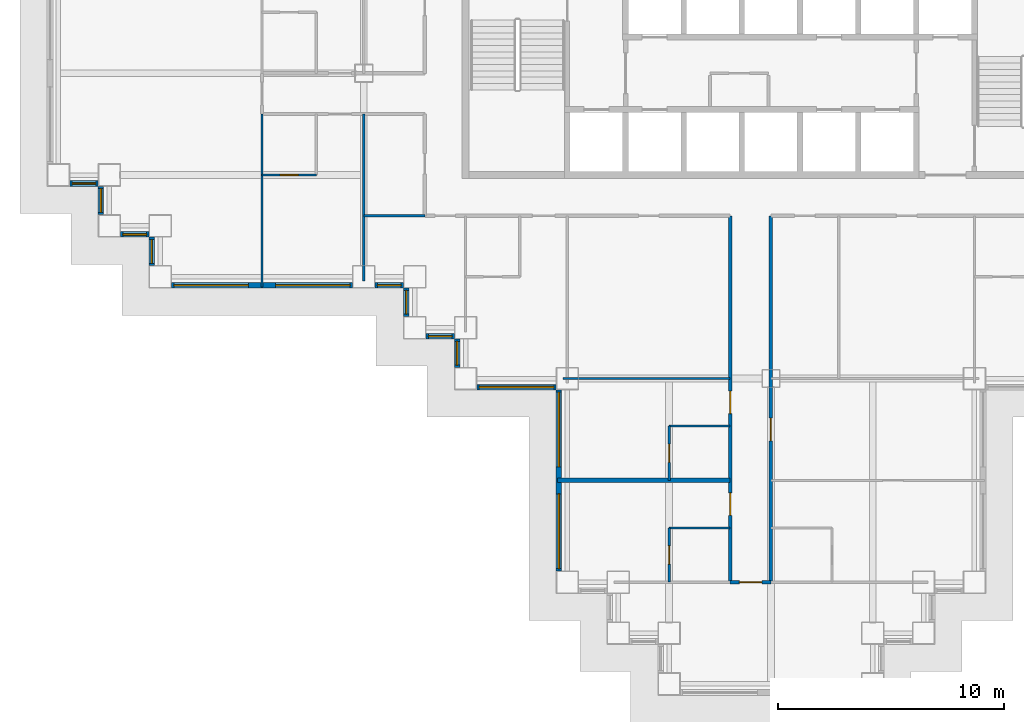
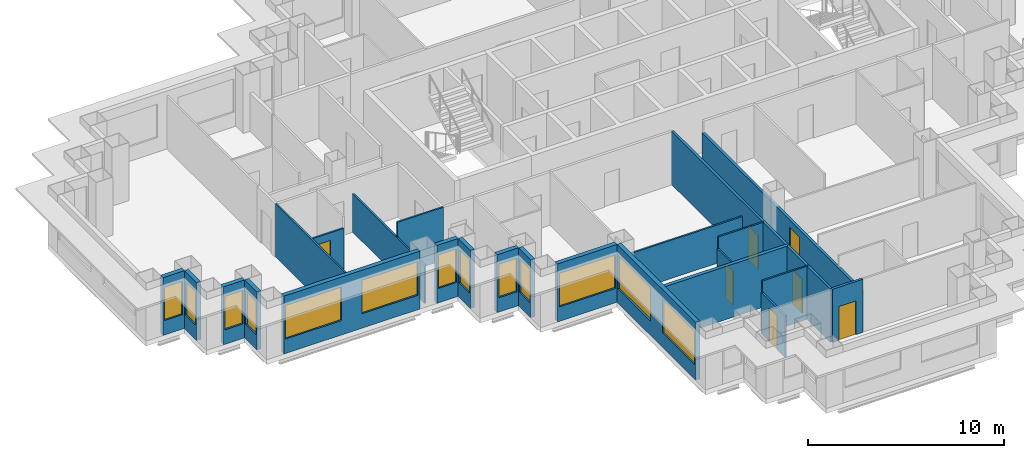
# One storey, part 3 of 14: 24 walls, 13 windows, 7 doors, 20 openings.
"""IFC4 building model written with IfcOpenShell, lengths in metres."""

from ifc_helpers import new_model, si_unit, direction, frame, frame_2d, origin, place, context, subcontext, project, spatial, rectangle, extrude, material, layer, layer_set, type_object, element, fill, save


model = new_model("IFC4")

# Units and contexts
model_context = context("Model", 3, precision=1e-05, world=origin(), true_north=direction((0.0, 1.0)))
body_context = subcontext(model_context, "Body", "Model", "MODEL_VIEW")
ifc_project = project(units=[si_unit("LENGTHUNIT", "METRE"), si_unit("AREAUNIT", "SQUARE_METRE"), si_unit("VOLUMEUNIT", "CUBIC_METRE"), si_unit("PLANEANGLEUNIT", "RADIAN"), si_unit("MASSUNIT", "GRAM", prefix="KILO")], contexts=[model_context])

# Site, building, storey
site_placement = place(None, origin())
site = spatial("IfcSite", under=ifc_project, at=site_placement, CompositionType="ELEMENT")
building_placement = place(site_placement, origin())
building = spatial("IfcBuilding", under=site, at=building_placement, Name="Caravel Reach Hotel and Residences", CompositionType="ELEMENT")
storey_placement = place(building_placement, frame((0.0, 0.0, 56.39990234375)))
storey = spatial("IfcBuildingStorey", under=building, at=storey_placement, Name="L12", CompositionType="ELEMENT", Elevation=56.39990234375)

# Wall
ifc_material_1 = material(Name="Gypsum board on steel stud", Category="steel")
ifc_layer_1 = layer(ifc_material_1, 0.10009765625)
ifc_layer_set_1 = layer_set([ifc_layer_1], Name="Bathroom pod wall 100 mm")
wall_type_1 = type_object("IfcWallType", Name="Bathroom pod wall 100 mm", PredefinedType="PARTITIONING", material=ifc_layer_set_1)
wall_1_placement = place(storey_placement, frame((27.0, 11.39990234375, 0.0), z_axis=(0.0, 0.0, 1.0), x_axis=(1.0, 0.0, 0.0)))
element("IfcWall", 1, at=wall_1_placement, inside=storey, type_object=wall_type_1, Name="L12 wall w074", PredefinedType="PARTITIONING", context=body_context, shape_type="SweptSolid", body=[
    extrude(rectangle(XDim=2.699951171875, YDim=0.10009765625, at=frame_2d((1.35009765625, 0.0))), origin(), (0.0, 0.0, 1.0), 3.300048828125),
])

# Wall, opening, door
wall_2_placement = place(storey_placement, frame((9.0, 22.5, 0.0), z_axis=(0.0, 0.0, 1.0), x_axis=(1.0, 0.0, 0.0)))
wall_2 = element("IfcWall", 2, at=wall_2_placement, inside=storey, type_object=wall_type_1, Name="L12 wall w077", PredefinedType="PARTITIONING", context=body_context, shape_type="SweptSolid", body=[
    extrude(rectangle(XDim=2.39990234375, YDim=0.10009765625, at=frame_2d((1.199951171875, 0.0))), origin(), (0.0, 0.0, 1.0), 2.580078125),
])
opening_1_placement = place(wall_2_placement, frame((0.800048828125, 0.0, 0.0)))
opening_1 = element("IfcOpeningElement", 3, at=opening_1_placement, cuts=wall_2, Name="Opening D12-016", PredefinedType="OPENING", context=body_context, shape_type="SweptSolid", body=[
    extrude(rectangle(XDim=0.800048828125, YDim=2.10009765625, at=frame_2d((0.39990234375, 1.050048828125))), frame((0.0, 0.06005859375, 0.0), z_axis=(0.0, -1.0, 0.0), x_axis=(1.0, 0.0, 0.0)), (0.0, 0.0, 1.0), 0.1201171875),
])
ifc_material_2 = material(Name="Timber and steel door leaf", Category="steel")
door_type_1 = type_object("IfcDoorType", Name="Bathroom door 800 x 2100", OperationType="SINGLE_SWING_LEFT", PredefinedType="DOOR", material=ifc_material_2)
door_1_placement = place(opening_1_placement, origin())
door_1 = element("IfcDoor", 4, at=door_1_placement, inside=storey, type_object=door_type_1, Name="door D12-016", OperationType="SINGLE_SWING_RIGHT", OverallHeight=2.10009765625, OverallWidth=0.800048828125, PredefinedType="DOOR", context=body_context, shape_type="SweptSolid", body=[
    extrude(rectangle(XDim=0.800048828125, YDim=2.10009765625, at=frame_2d((0.39990234375, 1.050048828125))), frame((0.0, 0.02490234375, 0.0), z_axis=(0.0, -1.0, 0.0), x_axis=(1.0, 0.0, 0.0)), (0.0, 0.0, 1.0), 0.050048828125),
])
fill(opening_1, door_1)

# Wall
wall_3_placement = place(storey_placement, frame((27.0, 6.89990234375, 0.0), z_axis=(0.0, 0.0, 1.0), x_axis=(1.0, 0.0, 0.0)))
element("IfcWall", 5, at=wall_3_placement, inside=storey, type_object=wall_type_1, Name="L12 wall w086", PredefinedType="PARTITIONING", context=body_context, shape_type="SweptSolid", body=[
    extrude(rectangle(XDim=2.699951171875, YDim=0.10009765625, at=frame_2d((1.35009765625, 0.0))), origin(), (0.0, 0.0, 1.0), 3.300048828125),
])

# Wall, opening, door
wall_4_placement = place(storey_placement, frame((27.0, 9.0, 0.0), z_axis=(0.0, 0.0, 1.0), x_axis=(0.0, 1.0, 0.0)))
wall_4 = element("IfcWall", 6, at=wall_4_placement, inside=storey, type_object=wall_type_1, Name="L12 wall w092", PredefinedType="PARTITIONING", context=body_context, shape_type="SweptSolid", body=[
    extrude(rectangle(XDim=2.39990234375, YDim=0.10009765625, at=frame_2d((1.199951171875, 0.0))), origin(), (0.0, 0.0, 1.0), 2.580078125),
])
opening_2_placement = place(wall_4_placement, frame((0.800048828125, 0.0, 0.0)))
opening_2 = element("IfcOpeningElement", 7, at=opening_2_placement, cuts=wall_4, Name="Opening D12-031", PredefinedType="OPENING", context=body_context, shape_type="SweptSolid", body=[
    extrude(rectangle(XDim=0.800048828125, YDim=2.10009765625, at=frame_2d((0.39990234375, 1.050048828125))), frame((0.0, 0.06005859375, 0.0), z_axis=(0.0, -1.0, 0.0), x_axis=(1.0, 0.0, 0.0)), (0.0, 0.0, 1.0), 0.1201171875),
])
door_2_placement = place(opening_2_placement, origin())
door_2 = element("IfcDoor", 8, at=door_2_placement, inside=storey, type_object=door_type_1, Name="door D12-031", OperationType="SINGLE_SWING_RIGHT", OverallHeight=2.10009765625, OverallWidth=0.800048828125, PredefinedType="DOOR", context=body_context, shape_type="SweptSolid", body=[
    extrude(rectangle(XDim=0.800048828125, YDim=2.10009765625, at=frame_2d((0.39990234375, 1.050048828125))), frame((0.0, 0.02490234375, 0.0), z_axis=(0.0, -1.0, 0.0), x_axis=(1.0, 0.0, 0.0)), (0.0, 0.0, 1.0), 0.050048828125),
])
fill(opening_2, door_2)

wall_5_placement = place(storey_placement, frame((27.0, 4.5, 0.0), z_axis=(0.0, 0.0, 1.0), x_axis=(0.0, 1.0, 0.0)))
wall_5 = element("IfcWall", 9, at=wall_5_placement, inside=storey, type_object=wall_type_1, Name="L12 wall w093", PredefinedType="PARTITIONING", context=body_context, shape_type="SweptSolid", body=[
    extrude(rectangle(XDim=2.39990234375, YDim=0.10009765625, at=frame_2d((1.199951171875, 0.0))), origin(), (0.0, 0.0, 1.0), 2.580078125),
])
opening_3_placement = place(wall_5_placement, frame((0.800048828125, 0.0, 0.0)))
opening_3 = element("IfcOpeningElement", 10, at=opening_3_placement, cuts=wall_5, Name="Opening D12-033", PredefinedType="OPENING", context=body_context, shape_type="SweptSolid", body=[
    extrude(rectangle(XDim=0.800048828125, YDim=2.10009765625, at=frame_2d((0.39990234375, 1.050048828125))), frame((0.0, 0.06005859375, 0.0), z_axis=(0.0, -1.0, 0.0), x_axis=(1.0, 0.0, 0.0)), (0.0, 0.0, 1.0), 0.1201171875),
])
door_3_placement = place(opening_3_placement, origin())
door_3 = element("IfcDoor", 11, at=door_3_placement, inside=storey, type_object=door_type_1, Name="door D12-033", OperationType="SINGLE_SWING_RIGHT", OverallHeight=2.10009765625, OverallWidth=0.800048828125, PredefinedType="DOOR", context=body_context, shape_type="SweptSolid", body=[
    extrude(rectangle(XDim=0.800048828125, YDim=2.10009765625, at=frame_2d((0.39990234375, 1.050048828125))), frame((0.0, 0.02490234375, 0.0), z_axis=(0.0, -1.0, 0.0), x_axis=(1.0, 0.0, 0.0)), (0.0, 0.0, 1.0), 0.050048828125),
])
fill(opening_3, door_3)

ifc_material_3 = material(Name="Gypsum board on steel stud, fire-rated", Category="steel")
ifc_layer_2 = layer(ifc_material_3, 0.14990234375)
ifc_layer_set_2 = layer_set([ifc_layer_2], Name="Corridor wall 150 mm EI 60")
wall_type_2 = type_object("IfcWallType", Name="Corridor wall 150 mm EI 60", PredefinedType="PARTITIONING", material=ifc_layer_set_2)
wall_6_placement = place(storey_placement, frame((29.699951171875, 4.5, 0.0), z_axis=(0.0, 0.0, 1.0), x_axis=(1.0, 0.0, 0.0)))
wall_6 = element("IfcWall", 12, at=wall_6_placement, inside=storey, type_object=wall_type_2, Name="L12 wall w022", PredefinedType="PARTITIONING", context=body_context, shape_type="SweptSolid", body=[
    extrude(rectangle(XDim=1.800048828125, YDim=0.14990234375, at=frame_2d((0.89990234375, 0.0))), origin(), (0.0, 0.0, 1.0), 3.300048828125),
])
opening_4_placement = place(wall_6_placement, frame((0.39990234375, 0.0, 0.0)))
opening_4 = element("IfcOpeningElement", 13, at=opening_4_placement, cuts=wall_6, Name="Opening D12-040", PredefinedType="OPENING", context=body_context, shape_type="SweptSolid", body=[
    extrude(rectangle(XDim=1.0, YDim=2.10009765625, at=frame_2d((0.5, 1.050048828125))), frame((0.0, 0.0849609375, 0.0), z_axis=(0.0, -1.0, 0.0), x_axis=(1.0, 0.0, 0.0)), (0.0, 0.0, 1.0), 0.169921875),
])
ifc_material_4 = material(Name="Steel fire door leaf", Category="steel")
door_type_2 = type_object("IfcDoorType", Name="Guest room door 1000 x 2100 EI 30", OperationType="SINGLE_SWING_LEFT", PredefinedType="DOOR", material=ifc_material_4)
door_4_placement = place(opening_4_placement, origin())
door_4 = element("IfcDoor", 14, at=door_4_placement, inside=storey, type_object=door_type_2, Name="door D12-040", OperationType="SINGLE_SWING_RIGHT", OverallHeight=2.10009765625, OverallWidth=1.0, PredefinedType="DOOR", context=body_context, shape_type="SweptSolid", body=[
    extrude(rectangle(XDim=1.0, YDim=2.10009765625, at=frame_2d((0.5, 1.050048828125))), frame((0.0, 0.02490234375, 0.0), z_axis=(0.0, -1.0, 0.0), x_axis=(1.0, 0.0, 0.0)), (0.0, 0.0, 1.0), 0.050048828125),
])
fill(opening_4, door_4)

# Wall, openings, doors
wall_7_placement = place(storey_placement, frame((29.699951171875, 4.5, 0.0), z_axis=(0.0, 0.0, 1.0), x_axis=(0.0, 1.0, 0.0)))
wall_7 = element("IfcWall", 15, at=wall_7_placement, inside=storey, type_object=wall_type_2, Name="L12 wall w027", PredefinedType="PARTITIONING", context=body_context, shape_type="SweptSolid", body=[
    extrude(rectangle(XDim=16.199951171875, YDim=0.14990234375, at=frame_2d((8.10009765625, 0.0))), origin(), (0.0, 0.0, 1.0), 3.300048828125),
])
opening_5_placement = place(wall_7_placement, frame((7.449951171875, 0.0, 0.0)))
opening_5 = element("IfcOpeningElement", 16, at=opening_5_placement, cuts=wall_7, Name="Opening D12-030", PredefinedType="OPENING", context=body_context, shape_type="SweptSolid", body=[
    extrude(rectangle(XDim=1.0, YDim=2.10009765625, at=frame_2d((0.5, 1.050048828125))), frame((0.0, 0.0849609375, 0.0), z_axis=(0.0, -1.0, 0.0), x_axis=(1.0, 0.0, 0.0)), (0.0, 0.0, 1.0), 0.169921875),
])
opening_6_placement = place(wall_7_placement, frame((2.949951171875, 0.0, 0.0)))
opening_6 = element("IfcOpeningElement", 17, at=opening_6_placement, cuts=wall_7, Name="Opening D12-032", PredefinedType="OPENING", context=body_context, shape_type="SweptSolid", body=[
    extrude(rectangle(XDim=1.0, YDim=2.10009765625, at=frame_2d((0.5, 1.050048828125))), frame((0.0, 0.0849609375, 0.0), z_axis=(0.0, -1.0, 0.0), x_axis=(1.0, 0.0, 0.0)), (0.0, 0.0, 1.0), 0.169921875),
])
door_5_placement = place(opening_5_placement, origin())
door_5 = element("IfcDoor", 18, at=door_5_placement, inside=storey, type_object=door_type_2, Name="door D12-030", OperationType="SINGLE_SWING_RIGHT", OverallHeight=2.10009765625, OverallWidth=1.0, PredefinedType="DOOR", context=body_context, shape_type="SweptSolid", body=[
    extrude(rectangle(XDim=1.0, YDim=2.10009765625, at=frame_2d((0.5, 1.050048828125))), frame((0.0, 0.02490234375, 0.0), z_axis=(0.0, -1.0, 0.0), x_axis=(1.0, 0.0, 0.0)), (0.0, 0.0, 1.0), 0.050048828125),
])
fill(opening_5, door_5)
door_6_placement = place(opening_6_placement, origin())
door_6 = element("IfcDoor", 19, at=door_6_placement, inside=storey, type_object=door_type_2, Name="door D12-032", OperationType="SINGLE_SWING_RIGHT", OverallHeight=2.10009765625, OverallWidth=1.0, PredefinedType="DOOR", context=body_context, shape_type="SweptSolid", body=[
    extrude(rectangle(XDim=1.0, YDim=2.10009765625, at=frame_2d((0.5, 1.050048828125))), frame((0.0, 0.02490234375, 0.0), z_axis=(0.0, -1.0, 0.0), x_axis=(1.0, 0.0, 0.0)), (0.0, 0.0, 1.0), 0.050048828125),
])
fill(opening_6, door_6)

# Wall, opening, door
wall_8_placement = place(storey_placement, frame((31.5, 4.5, 0.0), z_axis=(0.0, 0.0, 1.0), x_axis=(0.0, 1.0, 0.0)))
wall_8 = element("IfcWall", 20, at=wall_8_placement, inside=storey, type_object=wall_type_2, Name="L12 wall w032", PredefinedType="PARTITIONING", context=body_context, shape_type="SweptSolid", body=[
    extrude(rectangle(XDim=16.199951171875, YDim=0.14990234375, at=frame_2d((8.10009765625, 0.0))), origin(), (0.0, 0.0, 1.0), 2.580078125),
])
opening_7_placement = place(wall_8_placement, frame((6.25, 0.0, 0.0)))
opening_7 = element("IfcOpeningElement", 21, at=opening_7_placement, cuts=wall_8, Name="Opening D12-034", PredefinedType="OPENING", context=body_context, shape_type="SweptSolid", body=[
    extrude(rectangle(XDim=1.0, YDim=2.10009765625, at=frame_2d((0.5, 1.050048828125))), frame((0.0, 0.0849609375, 0.0), z_axis=(0.0, -1.0, 0.0), x_axis=(1.0, 0.0, 0.0)), (0.0, 0.0, 1.0), 0.169921875),
])
door_7_placement = place(opening_7_placement, origin())
door_7 = element("IfcDoor", 22, at=door_7_placement, inside=storey, type_object=door_type_2, Name="door D12-034", OperationType="SINGLE_SWING_LEFT", OverallHeight=2.10009765625, OverallWidth=1.0, PredefinedType="DOOR", context=body_context, shape_type="SweptSolid", body=[
    extrude(rectangle(XDim=1.0, YDim=2.10009765625, at=frame_2d((0.5, 1.050048828125))), frame((0.0, 0.02490234375, 0.0), z_axis=(0.0, -1.0, 0.0), x_axis=(1.0, 0.0, 0.0)), (0.0, 0.0, 1.0), 0.050048828125),
])
fill(opening_7, door_7)

# Wall, opening, window
ifc_material_5 = material(Name="Insulated rainscreen wall, aluminium cladding", Category="aluminium")
ifc_layer_3 = layer(ifc_material_5, 0.25)
ifc_layer_set_3 = layer_set([ifc_layer_3], Name="EW1 Tower rainscreen wall")
wall_type_3 = type_object("IfcWallType", Name="EW1 Tower rainscreen wall", PredefinedType="SOLIDWALL", material=ifc_layer_set_3)
wall_9_placement = place(storey_placement, frame((0.5, 22.125, 0.0), z_axis=(0.0, 0.0, 1.0), x_axis=(1.0, 0.0, 0.0)))
wall_9 = element("IfcWall", 23, at=wall_9_placement, inside=storey, type_object=wall_type_3, Name="External wall L12 S51.1", PredefinedType="SOLIDWALL", context=body_context, shape_type="SweptSolid", body=[
    extrude(rectangle(XDim=1.25, YDim=0.25, at=frame_2d((0.625, 0.0))), origin(), (0.0, 0.0, 1.0), 3.60009765625),
])
opening_8_placement = place(wall_9_placement, frame((0.10009765625, 0.0, 0.89990234375)))
opening_8 = element("IfcOpeningElement", 24, at=opening_8_placement, cuts=wall_9, Name="Opening WN3", PredefinedType="OPENING", context=body_context, shape_type="SweptSolid", body=[
    extrude(rectangle(XDim=1.050048828125, YDim=2.080078125, at=frame_2d((0.52490234375, 1.0400390625))), frame((0.0, 0.135009765625, 0.0), z_axis=(0.0, -1.0, 0.0), x_axis=(1.0, 0.0, 0.0)), (0.0, 0.0, 1.0), 0.27001953125),
])
ifc_material_6 = material(Name="Dark low-e glazing in black aluminium frame", Category="aluminium")
window_type_1 = type_object("IfcWindowType", Name="Hotel suite corner window 1050 x 2080", PartitioningType="SINGLE_PANEL", PredefinedType="WINDOW", material=ifc_material_6)
window_1_placement = place(opening_8_placement, origin())
window_1 = element("IfcWindow", 25, at=window_1_placement, inside=storey, type_object=window_type_1, Name="Window L12 S51.1.1", OverallHeight=2.080078125, OverallWidth=1.050048828125, PartitioningType="SINGLE_PANEL", PredefinedType="WINDOW", context=body_context, shape_type="SweptSolid", body=[
    extrude(rectangle(XDim=1.050048828125, YDim=2.080078125, at=frame_2d((0.52490234375, 1.0400390625))), frame((0.0, 0.030029296875, 0.0), z_axis=(0.0, -1.0, 0.0), x_axis=(1.0, 0.0, 0.0)), (0.0, 0.0, 1.0), 0.06005859375),
])
fill(opening_8, window_1)

wall_10_placement = place(storey_placement, frame((1.875, 22.0, 0.0), z_axis=(0.0, 0.0, 1.0), x_axis=(0.0, -1.0, 0.0)))
wall_10 = element("IfcWall", 26, at=wall_10_placement, inside=storey, type_object=wall_type_3, Name="External wall L12 W52.1", PredefinedType="SOLIDWALL", context=body_context, shape_type="SweptSolid", body=[
    extrude(rectangle(XDim=1.25, YDim=0.25, at=frame_2d((0.625, 0.0))), origin(), (0.0, 0.0, 1.0), 3.60009765625),
])
opening_9_placement = place(wall_10_placement, frame((0.10009765625, 0.0, 0.89990234375)))
opening_9 = element("IfcOpeningElement", 27, at=opening_9_placement, cuts=wall_10, Name="Opening WN3", PredefinedType="OPENING", context=body_context, shape_type="SweptSolid", body=[
    extrude(rectangle(XDim=1.050048828125, YDim=2.080078125, at=frame_2d((0.52490234375, 1.0400390625))), frame((0.0, 0.135009765625, 0.0), z_axis=(0.0, -1.0, 0.0), x_axis=(1.0, 0.0, 0.0)), (0.0, 0.0, 1.0), 0.27001953125),
])
window_2_placement = place(opening_9_placement, origin())
window_2 = element("IfcWindow", 28, at=window_2_placement, inside=storey, type_object=window_type_1, Name="Window L12 W52.1.1", OverallHeight=2.080078125, OverallWidth=1.050048828125, PartitioningType="SINGLE_PANEL", PredefinedType="WINDOW", context=body_context, shape_type="SweptSolid", body=[
    extrude(rectangle(XDim=1.050048828125, YDim=2.080078125, at=frame_2d((0.52490234375, 1.0400390625))), frame((0.0, 0.030029296875, 0.0), z_axis=(0.0, -1.0, 0.0), x_axis=(1.0, 0.0, 0.0)), (0.0, 0.0, 1.0), 0.06005859375),
])
fill(opening_9, window_2)

wall_11_placement = place(storey_placement, frame((2.75, 19.875, 0.0), z_axis=(0.0, 0.0, 1.0), x_axis=(1.0, 0.0, 0.0)))
wall_11 = element("IfcWall", 29, at=wall_11_placement, inside=storey, type_object=wall_type_3, Name="External wall L12 S53.1", PredefinedType="SOLIDWALL", context=body_context, shape_type="SweptSolid", body=[
    extrude(rectangle(XDim=1.25, YDim=0.25, at=frame_2d((0.625, 0.0))), origin(), (0.0, 0.0, 1.0), 3.60009765625),
])
opening_10_placement = place(wall_11_placement, frame((0.10009765625, 0.0, 0.89990234375)))
opening_10 = element("IfcOpeningElement", 30, at=opening_10_placement, cuts=wall_11, Name="Opening WN3", PredefinedType="OPENING", context=body_context, shape_type="SweptSolid", body=[
    extrude(rectangle(XDim=1.050048828125, YDim=2.080078125, at=frame_2d((0.52490234375, 1.0400390625))), frame((0.0, 0.135009765625, 0.0), z_axis=(0.0, -1.0, 0.0), x_axis=(1.0, 0.0, 0.0)), (0.0, 0.0, 1.0), 0.27001953125),
])
window_3_placement = place(opening_10_placement, origin())
window_3 = element("IfcWindow", 31, at=window_3_placement, inside=storey, type_object=window_type_1, Name="Window L12 S53.1.1", OverallHeight=2.080078125, OverallWidth=1.050048828125, PartitioningType="SINGLE_PANEL", PredefinedType="WINDOW", context=body_context, shape_type="SweptSolid", body=[
    extrude(rectangle(XDim=1.050048828125, YDim=2.080078125, at=frame_2d((0.52490234375, 1.0400390625))), frame((0.0, 0.030029296875, 0.0), z_axis=(0.0, -1.0, 0.0), x_axis=(1.0, 0.0, 0.0)), (0.0, 0.0, 1.0), 0.06005859375),
])
fill(opening_10, window_3)

wall_12_placement = place(storey_placement, frame((4.125, 19.75, 0.0), z_axis=(0.0, 0.0, 1.0), x_axis=(0.0, -1.0, 0.0)))
wall_12 = element("IfcWall", 32, at=wall_12_placement, inside=storey, type_object=wall_type_3, Name="External wall L12 W54.1", PredefinedType="SOLIDWALL", context=body_context, shape_type="SweptSolid", body=[
    extrude(rectangle(XDim=1.25, YDim=0.25, at=frame_2d((0.625, 0.0))), origin(), (0.0, 0.0, 1.0), 3.60009765625),
])
opening_11_placement = place(wall_12_placement, frame((0.10009765625, 0.0, 0.89990234375)))
opening_11 = element("IfcOpeningElement", 33, at=opening_11_placement, cuts=wall_12, Name="Opening WN3", PredefinedType="OPENING", context=body_context, shape_type="SweptSolid", body=[
    extrude(rectangle(XDim=1.050048828125, YDim=2.080078125, at=frame_2d((0.52490234375, 1.0400390625))), frame((0.0, 0.135009765625, 0.0), z_axis=(0.0, -1.0, 0.0), x_axis=(1.0, 0.0, 0.0)), (0.0, 0.0, 1.0), 0.27001953125),
])
window_4_placement = place(opening_11_placement, origin())
window_4 = element("IfcWindow", 34, at=window_4_placement, inside=storey, type_object=window_type_1, Name="Window L12 W54.1.1", OverallHeight=2.080078125, OverallWidth=1.050048828125, PartitioningType="SINGLE_PANEL", PredefinedType="WINDOW", context=body_context, shape_type="SweptSolid", body=[
    extrude(rectangle(XDim=1.050048828125, YDim=2.080078125, at=frame_2d((0.52490234375, 1.0400390625))), frame((0.0, 0.030029296875, 0.0), z_axis=(0.0, -1.0, 0.0), x_axis=(1.0, 0.0, 0.0)), (0.0, 0.0, 1.0), 0.06005859375),
])
fill(opening_11, window_4)

# Wall, openings, windows
wall_13_placement = place(storey_placement, frame((5.0, 17.625, 0.0), z_axis=(0.0, 0.0, 1.0), x_axis=(1.0, 0.0, 0.0)))
wall_13 = element("IfcWall", 35, at=wall_13_placement, inside=storey, type_object=wall_type_3, Name="External wall L12 S55.1", PredefinedType="SOLIDWALL", context=body_context, shape_type="SweptSolid", body=[
    extrude(rectangle(XDim=8.0, YDim=0.25, at=frame_2d((4.0, 0.0))), origin(), (0.0, 0.0, 1.0), 3.60009765625),
])
opening_12_placement = place(wall_13_placement, frame((0.10009765625, 0.0, 0.89990234375)))
opening_12 = element("IfcOpeningElement", 36, at=opening_12_placement, cuts=wall_13, Name="Opening WN4", PredefinedType="OPENING", context=body_context, shape_type="SweptSolid", body=[
    extrude(rectangle(XDim=3.300048828125, YDim=2.080078125, at=frame_2d((1.64990234375, 1.0400390625))), frame((0.0, 0.135009765625, 0.0), z_axis=(0.0, -1.0, 0.0), x_axis=(1.0, 0.0, 0.0)), (0.0, 0.0, 1.0), 0.27001953125),
])
opening_13_placement = place(wall_13_placement, frame((4.60009765625, 0.0, 0.89990234375)))
opening_13 = element("IfcOpeningElement", 37, at=opening_13_placement, cuts=wall_13, Name="Opening WN4", PredefinedType="OPENING", context=body_context, shape_type="SweptSolid", body=[
    extrude(rectangle(XDim=3.300048828125, YDim=2.080078125, at=frame_2d((1.64990234375, 1.0400390625))), frame((0.0, 0.135009765625, 0.0), z_axis=(0.0, -1.0, 0.0), x_axis=(1.0, 0.0, 0.0)), (0.0, 0.0, 1.0), 0.27001953125),
])
ifc_material_7 = material(Name="Dark low-e glazing in black aluminium frame", Category="aluminium")
window_type_2 = type_object("IfcWindowType", Name="Hotel guest room window 3300 x 2080", PartitioningType="SINGLE_PANEL", PredefinedType="WINDOW", material=ifc_material_7)
window_5_placement = place(opening_12_placement, origin())
window_5 = element("IfcWindow", 38, at=window_5_placement, inside=storey, type_object=window_type_2, Name="Window L12 S55.1.1", OverallHeight=2.080078125, OverallWidth=3.300048828125, PartitioningType="SINGLE_PANEL", PredefinedType="WINDOW", context=body_context, shape_type="SweptSolid", body=[
    extrude(rectangle(XDim=3.300048828125, YDim=2.080078125, at=frame_2d((1.64990234375, 1.0400390625))), frame((0.0, 0.030029296875, 0.0), z_axis=(0.0, -1.0, 0.0), x_axis=(1.0, 0.0, 0.0)), (0.0, 0.0, 1.0), 0.06005859375),
])
fill(opening_12, window_5)
window_6_placement = place(opening_13_placement, origin())
window_6 = element("IfcWindow", 39, at=window_6_placement, inside=storey, type_object=window_type_2, Name="Window L12 S55.1.2", OverallHeight=2.080078125, OverallWidth=3.300048828125, PartitioningType="SINGLE_PANEL", PredefinedType="WINDOW", context=body_context, shape_type="SweptSolid", body=[
    extrude(rectangle(XDim=3.300048828125, YDim=2.080078125, at=frame_2d((1.64990234375, 1.0400390625))), frame((0.0, 0.030029296875, 0.0), z_axis=(0.0, -1.0, 0.0), x_axis=(1.0, 0.0, 0.0)), (0.0, 0.0, 1.0), 0.06005859375),
])
fill(opening_13, window_6)

# Wall, opening, window
wall_14_placement = place(storey_placement, frame((14.0, 17.625, 0.0), z_axis=(0.0, 0.0, 1.0), x_axis=(1.0, 0.0, 0.0)))
wall_14 = element("IfcWall", 40, at=wall_14_placement, inside=storey, type_object=wall_type_3, Name="External wall L12 S55.2", PredefinedType="SOLIDWALL", context=body_context, shape_type="SweptSolid", body=[
    extrude(rectangle(XDim=1.25, YDim=0.25, at=frame_2d((0.625, 0.0))), origin(), (0.0, 0.0, 1.0), 3.60009765625),
])
opening_14_placement = place(wall_14_placement, frame((0.10009765625, 0.0, 0.89990234375)))
opening_14 = element("IfcOpeningElement", 41, at=opening_14_placement, cuts=wall_14, Name="Opening WN3", PredefinedType="OPENING", context=body_context, shape_type="SweptSolid", body=[
    extrude(rectangle(XDim=1.050048828125, YDim=2.080078125, at=frame_2d((0.52490234375, 1.0400390625))), frame((0.0, 0.135009765625, 0.0), z_axis=(0.0, -1.0, 0.0), x_axis=(1.0, 0.0, 0.0)), (0.0, 0.0, 1.0), 0.27001953125),
])
window_7_placement = place(opening_14_placement, origin())
window_7 = element("IfcWindow", 42, at=window_7_placement, inside=storey, type_object=window_type_1, Name="Window L12 S55.2.1", OverallHeight=2.080078125, OverallWidth=1.050048828125, PartitioningType="SINGLE_PANEL", PredefinedType="WINDOW", context=body_context, shape_type="SweptSolid", body=[
    extrude(rectangle(XDim=1.050048828125, YDim=2.080078125, at=frame_2d((0.52490234375, 1.0400390625))), frame((0.0, 0.030029296875, 0.0), z_axis=(0.0, -1.0, 0.0), x_axis=(1.0, 0.0, 0.0)), (0.0, 0.0, 1.0), 0.06005859375),
])
fill(opening_14, window_7)

wall_15_placement = place(storey_placement, frame((15.375, 17.5, 0.0), z_axis=(0.0, 0.0, 1.0), x_axis=(0.0, -1.0, 0.0)))
wall_15 = element("IfcWall", 43, at=wall_15_placement, inside=storey, type_object=wall_type_3, Name="External wall L12 W56.1", PredefinedType="SOLIDWALL", context=body_context, shape_type="SweptSolid", body=[
    extrude(rectangle(XDim=1.25, YDim=0.25, at=frame_2d((0.625, 0.0))), origin(), (0.0, 0.0, 1.0), 3.60009765625),
])
opening_15_placement = place(wall_15_placement, frame((0.10009765625, 0.0, 0.89990234375)))
opening_15 = element("IfcOpeningElement", 44, at=opening_15_placement, cuts=wall_15, Name="Opening WN3", PredefinedType="OPENING", context=body_context, shape_type="SweptSolid", body=[
    extrude(rectangle(XDim=1.050048828125, YDim=2.080078125, at=frame_2d((0.52490234375, 1.0400390625))), frame((0.0, 0.135009765625, 0.0), z_axis=(0.0, -1.0, 0.0), x_axis=(1.0, 0.0, 0.0)), (0.0, 0.0, 1.0), 0.27001953125),
])
window_8_placement = place(opening_15_placement, origin())
window_8 = element("IfcWindow", 45, at=window_8_placement, inside=storey, type_object=window_type_1, Name="Window L12 W56.1.1", OverallHeight=2.080078125, OverallWidth=1.050048828125, PartitioningType="SINGLE_PANEL", PredefinedType="WINDOW", context=body_context, shape_type="SweptSolid", body=[
    extrude(rectangle(XDim=1.050048828125, YDim=2.080078125, at=frame_2d((0.52490234375, 1.0400390625))), frame((0.0, 0.030029296875, 0.0), z_axis=(0.0, -1.0, 0.0), x_axis=(1.0, 0.0, 0.0)), (0.0, 0.0, 1.0), 0.06005859375),
])
fill(opening_15, window_8)

wall_16_placement = place(storey_placement, frame((16.25, 15.375, 0.0), z_axis=(0.0, 0.0, 1.0), x_axis=(1.0, 0.0, 0.0)))
wall_16 = element("IfcWall", 46, at=wall_16_placement, inside=storey, type_object=wall_type_3, Name="External wall L12 S57.1", PredefinedType="SOLIDWALL", context=body_context, shape_type="SweptSolid", body=[
    extrude(rectangle(XDim=1.25, YDim=0.25, at=frame_2d((0.625, 0.0))), origin(), (0.0, 0.0, 1.0), 3.60009765625),
])
opening_16_placement = place(wall_16_placement, frame((0.10009765625, 0.0, 0.89990234375)))
opening_16 = element("IfcOpeningElement", 47, at=opening_16_placement, cuts=wall_16, Name="Opening WN3", PredefinedType="OPENING", context=body_context, shape_type="SweptSolid", body=[
    extrude(rectangle(XDim=1.050048828125, YDim=2.080078125, at=frame_2d((0.52490234375, 1.0400390625))), frame((0.0, 0.135009765625, 0.0), z_axis=(0.0, -1.0, 0.0), x_axis=(1.0, 0.0, 0.0)), (0.0, 0.0, 1.0), 0.27001953125),
])
window_9_placement = place(opening_16_placement, origin())
window_9 = element("IfcWindow", 48, at=window_9_placement, inside=storey, type_object=window_type_1, Name="Window L12 S57.1.1", OverallHeight=2.080078125, OverallWidth=1.050048828125, PartitioningType="SINGLE_PANEL", PredefinedType="WINDOW", context=body_context, shape_type="SweptSolid", body=[
    extrude(rectangle(XDim=1.050048828125, YDim=2.080078125, at=frame_2d((0.52490234375, 1.0400390625))), frame((0.0, 0.030029296875, 0.0), z_axis=(0.0, -1.0, 0.0), x_axis=(1.0, 0.0, 0.0)), (0.0, 0.0, 1.0), 0.06005859375),
])
fill(opening_16, window_9)

wall_17_placement = place(storey_placement, frame((17.625, 15.25, 0.0), z_axis=(0.0, 0.0, 1.0), x_axis=(0.0, -1.0, 0.0)))
wall_17 = element("IfcWall", 49, at=wall_17_placement, inside=storey, type_object=wall_type_3, Name="External wall L12 W58.1", PredefinedType="SOLIDWALL", context=body_context, shape_type="SweptSolid", body=[
    extrude(rectangle(XDim=1.25, YDim=0.25, at=frame_2d((0.625, 0.0))), origin(), (0.0, 0.0, 1.0), 3.60009765625),
])
opening_17_placement = place(wall_17_placement, frame((0.10009765625, 0.0, 0.89990234375)))
opening_17 = element("IfcOpeningElement", 50, at=opening_17_placement, cuts=wall_17, Name="Opening WN3", PredefinedType="OPENING", context=body_context, shape_type="SweptSolid", body=[
    extrude(rectangle(XDim=1.050048828125, YDim=2.080078125, at=frame_2d((0.52490234375, 1.0400390625))), frame((0.0, 0.135009765625, 0.0), z_axis=(0.0, -1.0, 0.0), x_axis=(1.0, 0.0, 0.0)), (0.0, 0.0, 1.0), 0.27001953125),
])
window_10_placement = place(opening_17_placement, origin())
window_10 = element("IfcWindow", 51, at=window_10_placement, inside=storey, type_object=window_type_1, Name="Window L12 W58.1.1", OverallHeight=2.080078125, OverallWidth=1.050048828125, PartitioningType="SINGLE_PANEL", PredefinedType="WINDOW", context=body_context, shape_type="SweptSolid", body=[
    extrude(rectangle(XDim=1.050048828125, YDim=2.080078125, at=frame_2d((0.52490234375, 1.0400390625))), frame((0.0, 0.030029296875, 0.0), z_axis=(0.0, -1.0, 0.0), x_axis=(1.0, 0.0, 0.0)), (0.0, 0.0, 1.0), 0.06005859375),
])
fill(opening_17, window_10)

wall_18_placement = place(storey_placement, frame((18.5, 13.125, 0.0), z_axis=(0.0, 0.0, 1.0), x_axis=(1.0, 0.0, 0.0)))
wall_18 = element("IfcWall", 52, at=wall_18_placement, inside=storey, type_object=wall_type_3, Name="External wall L12 S59.1", PredefinedType="SOLIDWALL", context=body_context, shape_type="SweptSolid", body=[
    extrude(rectangle(XDim=3.5, YDim=0.25, at=frame_2d((1.75, 0.0))), origin(), (0.0, 0.0, 1.0), 3.60009765625),
])
opening_18_placement = place(wall_18_placement, frame((0.10009765625, 0.0, 0.89990234375)))
opening_18 = element("IfcOpeningElement", 53, at=opening_18_placement, cuts=wall_18, Name="Opening WN4", PredefinedType="OPENING", context=body_context, shape_type="SweptSolid", body=[
    extrude(rectangle(XDim=3.300048828125, YDim=2.080078125, at=frame_2d((1.64990234375, 1.0400390625))), frame((0.0, 0.135009765625, 0.0), z_axis=(0.0, -1.0, 0.0), x_axis=(1.0, 0.0, 0.0)), (0.0, 0.0, 1.0), 0.27001953125),
])
window_11_placement = place(opening_18_placement, origin())
window_11 = element("IfcWindow", 54, at=window_11_placement, inside=storey, type_object=window_type_2, Name="Window L12 S59.1.1", OverallHeight=2.080078125, OverallWidth=3.300048828125, PartitioningType="SINGLE_PANEL", PredefinedType="WINDOW", context=body_context, shape_type="SweptSolid", body=[
    extrude(rectangle(XDim=3.300048828125, YDim=2.080078125, at=frame_2d((1.64990234375, 1.0400390625))), frame((0.0, 0.030029296875, 0.0), z_axis=(0.0, -1.0, 0.0), x_axis=(1.0, 0.0, 0.0)), (0.0, 0.0, 1.0), 0.06005859375),
])
fill(opening_18, window_11)

# Wall, openings, windows
wall_19_placement = place(storey_placement, frame((22.125, 13.0, 0.0), z_axis=(0.0, 0.0, 1.0), x_axis=(0.0, -1.0, 0.0)))
wall_19 = element("IfcWall", 55, at=wall_19_placement, inside=storey, type_object=wall_type_3, Name="External wall L12 W60.1", PredefinedType="SOLIDWALL", context=body_context, shape_type="SweptSolid", body=[
    extrude(rectangle(XDim=8.0, YDim=0.25, at=frame_2d((4.0, 0.0))), origin(), (0.0, 0.0, 1.0), 3.60009765625),
])
opening_19_placement = place(wall_19_placement, frame((0.10009765625, 0.0, 0.89990234375)))
opening_19 = element("IfcOpeningElement", 56, at=opening_19_placement, cuts=wall_19, Name="Opening WN4", PredefinedType="OPENING", context=body_context, shape_type="SweptSolid", body=[
    extrude(rectangle(XDim=3.300048828125, YDim=2.080078125, at=frame_2d((1.64990234375, 1.0400390625))), frame((0.0, 0.135009765625, 0.0), z_axis=(0.0, -1.0, 0.0), x_axis=(1.0, 0.0, 0.0)), (0.0, 0.0, 1.0), 0.27001953125),
])
opening_20_placement = place(wall_19_placement, frame((4.60009765625, 0.0, 0.89990234375)))
opening_20 = element("IfcOpeningElement", 57, at=opening_20_placement, cuts=wall_19, Name="Opening WN4", PredefinedType="OPENING", context=body_context, shape_type="SweptSolid", body=[
    extrude(rectangle(XDim=3.300048828125, YDim=2.080078125, at=frame_2d((1.64990234375, 1.0400390625))), frame((0.0, 0.135009765625, 0.0), z_axis=(0.0, -1.0, 0.0), x_axis=(1.0, 0.0, 0.0)), (0.0, 0.0, 1.0), 0.27001953125),
])
window_12_placement = place(opening_19_placement, origin())
window_12 = element("IfcWindow", 58, at=window_12_placement, inside=storey, type_object=window_type_2, Name="Window L12 W60.1.1", OverallHeight=2.080078125, OverallWidth=3.300048828125, PartitioningType="SINGLE_PANEL", PredefinedType="WINDOW", context=body_context, shape_type="SweptSolid", body=[
    extrude(rectangle(XDim=3.300048828125, YDim=2.080078125, at=frame_2d((1.64990234375, 1.0400390625))), frame((0.0, 0.030029296875, 0.0), z_axis=(0.0, -1.0, 0.0), x_axis=(1.0, 0.0, 0.0)), (0.0, 0.0, 1.0), 0.06005859375),
])
fill(opening_19, window_12)
window_13_placement = place(opening_20_placement, origin())
window_13 = element("IfcWindow", 59, at=window_13_placement, inside=storey, type_object=window_type_2, Name="Window L12 W60.1.2", OverallHeight=2.080078125, OverallWidth=3.300048828125, PartitioningType="SINGLE_PANEL", PredefinedType="WINDOW", context=body_context, shape_type="SweptSolid", body=[
    extrude(rectangle(XDim=3.300048828125, YDim=2.080078125, at=frame_2d((1.64990234375, 1.0400390625))), frame((0.0, 0.030029296875, 0.0), z_axis=(0.0, -1.0, 0.0), x_axis=(1.0, 0.0, 0.0)), (0.0, 0.0, 1.0), 0.06005859375),
])
fill(opening_20, window_13)

# Walls
ifc_material_8 = material(Name="Gypsum board on steel stud", Category="steel")
ifc_layer_4 = layer(ifc_material_8, 0.10009765625)
ifc_layer_set_4 = layer_set([ifc_layer_4], Name="Partition 100 mm")
wall_type_4 = type_object("IfcWallType", Name="Partition 100 mm", PredefinedType="PARTITIONING", material=ifc_layer_set_4)
wall_20_placement = place(storey_placement, frame((22.31005859375, 13.5, 0.0), z_axis=(0.0, 0.0, 1.0), x_axis=(1.0, 0.0, 0.0)))
element("IfcWall", 60, at=wall_20_placement, inside=storey, type_object=wall_type_4, Name="L12 wall w040", PredefinedType="PARTITIONING", context=body_context, shape_type="SweptSolid", body=[
    extrude(rectangle(XDim=7.389892578125, YDim=0.10009765625, at=frame_2d((3.69482421875, 0.0))), origin(), (0.0, 0.0, 1.0), 2.380126953125),
])
wall_21_placement = place(storey_placement, frame((13.5, 20.699951171875, 0.0), z_axis=(0.0, 0.0, 1.0), x_axis=(1.0, 0.0, 0.0)))
element("IfcWall", 61, at=wall_21_placement, inside=storey, type_object=wall_type_4, Name="L12 wall w043", PredefinedType="PARTITIONING", context=body_context, shape_type="SweptSolid", body=[
    extrude(rectangle(XDim=2.699951171875, YDim=0.10009765625, at=frame_2d((1.35009765625, 0.0))), origin(), (0.0, 0.0, 1.0), 3.300048828125),
])
wall_22_placement = place(storey_placement, frame((13.5, 17.81005859375, 0.0), z_axis=(0.0, 0.0, 1.0), x_axis=(0.0, 1.0, 0.0)))
element("IfcWall", 62, at=wall_22_placement, inside=storey, type_object=wall_type_4, Name="L12 wall w055", PredefinedType="PARTITIONING", context=body_context, shape_type="SweptSolid", body=[
    extrude(rectangle(XDim=7.389892578125, YDim=0.10009765625, at=frame_2d((3.69482421875, 0.0))), origin(), (0.0, 0.0, 1.0), 2.380126953125),
])
wall_23_placement = place(storey_placement, frame((9.0, 17.56005859375, 0.0), z_axis=(0.0, 0.0, 1.0), x_axis=(0.0, 1.0, 0.0)))
element("IfcWall", 63, at=wall_23_placement, inside=storey, type_object=wall_type_4, Name="L12 wall w070", PredefinedType="PARTITIONING", context=body_context, shape_type="SweptSolid", body=[
    extrude(rectangle(XDim=7.639892578125, YDim=0.10009765625, at=frame_2d((3.81982421875, 0.0))), origin(), (0.0, 0.0, 1.0), 3.300048828125),
])
ifc_material_9 = material(Name="Autoclaved aerated block wall")
ifc_layer_5 = layer(ifc_material_9, 0.199951171875)
ifc_layer_set_5 = layer_set([ifc_layer_5], Name="Party wall 200 mm EI 60")
wall_type_5 = type_object("IfcWallType", Name="Party wall 200 mm EI 60", PredefinedType="PARTITIONING", material=ifc_layer_set_5)
wall_24_placement = place(storey_placement, frame((22.06005859375, 9.0, 0.0), z_axis=(0.0, 0.0, 1.0), x_axis=(1.0, 0.0, 0.0)))
element("IfcWall", 64, at=wall_24_placement, inside=storey, type_object=wall_type_5, Name="L12 wall w071", PredefinedType="PARTITIONING", context=body_context, shape_type="SweptSolid", body=[
    extrude(rectangle(XDim=7.639892578125, YDim=0.199951171875, at=frame_2d((3.81982421875, 0.0))), origin(), (0.0, 0.0, 1.0), 3.300048828125),
])

save(model, "model.ifc")
